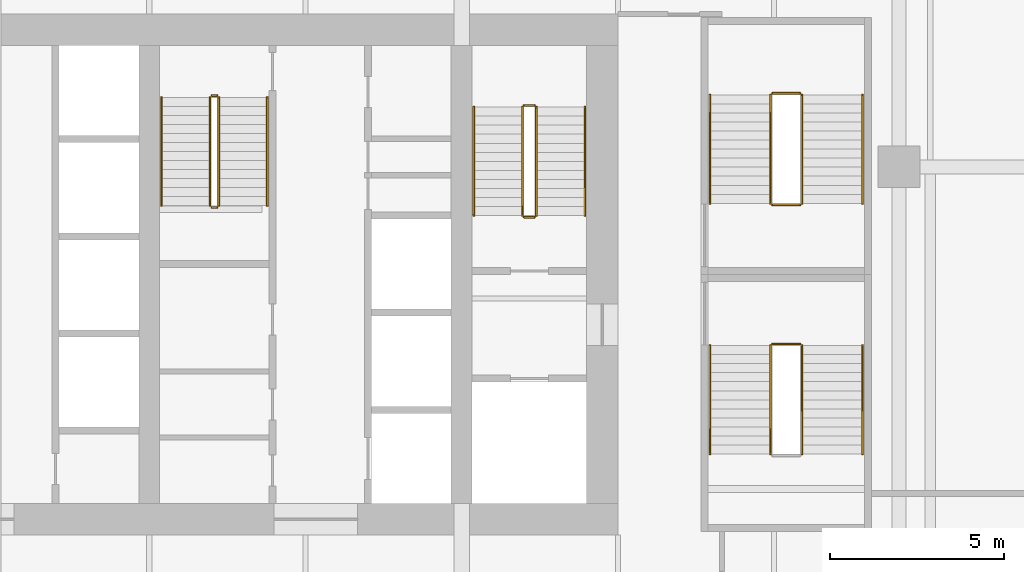
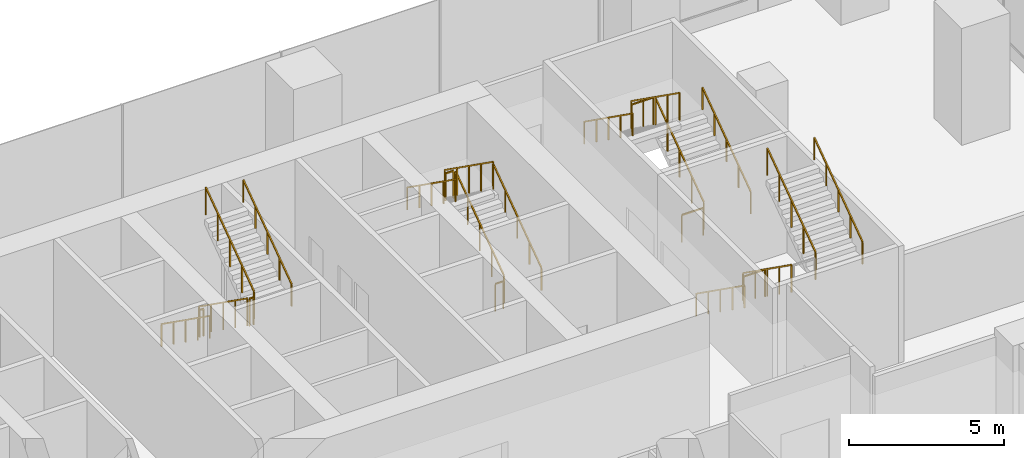
# One storey, part 28 of 28: 23 railings.
"""IFC4 building model written with IfcOpenShell, lengths in metres."""

from ifc_helpers import new_model, si_unit, direction, frame, origin, origin_2d, place, context, subcontext, project, spatial, rectangle, extrude, material, type_object, element, save


model = new_model("IFC4")

# Units and contexts
model_context = context("Model", 3, precision=1e-05, world=origin(), true_north=direction((0.0, 1.0)))
body_context = subcontext(model_context, "Body", "Model", "MODEL_VIEW")
ifc_project = project(units=[si_unit("LENGTHUNIT", "METRE"), si_unit("AREAUNIT", "SQUARE_METRE"), si_unit("VOLUMEUNIT", "CUBIC_METRE"), si_unit("PLANEANGLEUNIT", "RADIAN"), si_unit("MASSUNIT", "GRAM", prefix="KILO")], contexts=[model_context])

# Site, building, storey
site_placement = place(None, origin())
site = spatial("IfcSite", under=ifc_project, at=site_placement, CompositionType="ELEMENT")
building_placement = place(site_placement, origin())
building = spatial("IfcBuilding", under=site, at=building_placement, Name="Rattan Terrace Tower", CompositionType="ELEMENT")
storey_placement = place(building_placement, frame((0.0, 0.0, 17.39990234375)))
storey = spatial("IfcBuildingStorey", under=building, at=storey_placement, Name="L03", CompositionType="ELEMENT", Elevation=17.39990234375)

# Railings
ifc_material_1 = material(Name="Powder-coated steel guard", Category="steel")
railing_type_1 = type_object("IfcRailingType", Name="Core stair guard", PredefinedType="GUARDRAIL", material=ifc_material_1)
railing_1_placement = place(storey_placement, frame((15.64990234375, 1.699951171875, 0.184814453125)))
element("IfcRailing", 1, at=railing_1_placement, inside=storey, type_object=railing_type_1, Name="L03 S2 stair guard 1", PredefinedType="GUARDRAIL", context=body_context, shape_type="SweptSolid", body=[
    extrude(rectangle(XDim=0.048095703125, YDim=0.048095703125, at=origin_2d()), frame((0.0, 0.0, 1.076171875), z_axis=(0.0, 0.815376961211, 0.578930402662), x_axis=(-1.0, 0.0, 0.0)), (0.0, 0.0, 1.0), 3.82666015625),
    extrude(rectangle(XDim=0.0419921875, YDim=0.0419921875, at=origin_2d()), origin(), (0.0, 0.0, 1.0), 1.052001953125),
    extrude(rectangle(XDim=0.0419921875, YDim=0.0419921875, at=origin_2d()), frame((0.0, 0.780029296875, 0.5537109375)), (0.0, 0.0, 1.0), 1.052001953125),
    extrude(rectangle(XDim=0.0419921875, YDim=0.0419921875, at=origin_2d()), frame((0.0, 1.56005859375, 1.107666015625)), (0.0, 0.0, 1.0), 1.052001953125),
    extrude(rectangle(XDim=0.0419921875, YDim=0.0419921875, at=origin_2d()), frame((0.0, 2.340087890625, 1.66162109375)), (0.0, 0.0, 1.0), 1.052001953125),
    extrude(rectangle(XDim=0.0419921875, YDim=0.0419921875, at=origin_2d()), frame((0.0, 3.1201171875, 2.21533203125)), (0.0, 0.0, 1.0), 1.052001953125),
])
railing_2_placement = place(storey_placement, frame((15.60009765625, 4.8701171875, 2.400146484375)))
element("IfcRailing", 2, at=railing_2_placement, inside=storey, type_object=railing_type_1, Name="L03 S2 stair guard 2", PredefinedType="GUARDRAIL", context=body_context, shape_type="SweptSolid", body=[
    extrude(rectangle(XDim=0.048095703125, YDim=0.048095703125, at=origin_2d()), frame((0.0, 0.0, 1.076171875), z_axis=(-1.0, 0.0, 0.0), x_axis=(0.0, -1.0, 0.0)), (0.0, 0.0, 1.0), 0.300048828125),
    extrude(rectangle(XDim=0.0419921875, YDim=0.0419921875, at=origin_2d()), origin(), (0.0, 0.0, 1.0), 1.052001953125),
    extrude(rectangle(XDim=0.0419921875, YDim=0.0419921875, at=origin_2d()), frame((-0.300048828125, 0.0, 0.0)), (0.0, 0.0, 1.0), 1.052001953125),
])
railing_3_placement = place(storey_placement, frame((15.25, 4.820068359375, 2.584716796875)))
element("IfcRailing", 3, at=railing_3_placement, inside=storey, type_object=railing_type_1, Name="L03 S2 stair guard 3", PredefinedType="GUARDRAIL", context=body_context, shape_type="SweptSolid", body=[
    extrude(rectangle(XDim=0.048095703125, YDim=0.048095703125, at=origin_2d()), frame((0.0, 0.0, 1.076171875), z_axis=(0.0, -0.815376961211, 0.578930402662), x_axis=(1.0, 0.0, 0.0)), (0.0, 0.0, 1.0), 3.82666015625),
    extrude(rectangle(XDim=0.0419921875, YDim=0.0419921875, at=origin_2d()), origin(), (0.0, 0.0, 1.0), 1.052001953125),
    extrude(rectangle(XDim=0.0419921875, YDim=0.0419921875, at=origin_2d()), frame((0.0, -0.780029296875, 0.5537109375)), (0.0, 0.0, 1.0), 1.052001953125),
    extrude(rectangle(XDim=0.0419921875, YDim=0.0419921875, at=origin_2d()), frame((0.0, -1.56005859375, 1.107666015625)), (0.0, 0.0, 1.0), 1.052001953125),
    extrude(rectangle(XDim=0.0419921875, YDim=0.0419921875, at=origin_2d()), frame((0.0, -2.340087890625, 1.66162109375)), (0.0, 0.0, 1.0), 1.052001953125),
    extrude(rectangle(XDim=0.0419921875, YDim=0.0419921875, at=origin_2d()), frame((0.0, -3.1201171875, 2.21533203125)), (0.0, 0.0, 1.0), 1.052001953125),
])
railing_4_placement = place(storey_placement, frame((15.60009765625, 1.64990234375, 0.0)))
element("IfcRailing", 4, at=railing_4_placement, inside=storey, type_object=railing_type_1, Name="L03 S2 stair guard 4", PredefinedType="GUARDRAIL", context=body_context, shape_type="SweptSolid", body=[
    extrude(rectangle(XDim=0.048095703125, YDim=0.048095703125, at=origin_2d()), frame((0.0, 0.0, 1.076171875), z_axis=(-1.0, 0.0, 0.0), x_axis=(0.0, -1.0, 0.0)), (0.0, 0.0, 1.0), 0.300048828125),
    extrude(rectangle(XDim=0.0419921875, YDim=0.0419921875, at=origin_2d()), origin(), (0.0, 0.0, 1.0), 1.052001953125),
    extrude(rectangle(XDim=0.0419921875, YDim=0.0419921875, at=origin_2d()), frame((-0.300048828125, 0.0, 0.0)), (0.0, 0.0, 1.0), 1.052001953125),
])
railing_5_placement = place(storey_placement, frame((6.25, 5.10009765625, 0.184814453125)))
element("IfcRailing", 5, at=railing_5_placement, inside=storey, type_object=railing_type_1, Name="L03 S3 stair guard 1", PredefinedType="GUARDRAIL", context=body_context, shape_type="SweptSolid", body=[
    extrude(rectangle(XDim=0.048095703125, YDim=0.048095703125, at=origin_2d()), frame((0.0, 0.0, 1.076171875), z_axis=(0.0, -0.815376961211, 0.578930402662), x_axis=(1.0, 0.0, 0.0)), (0.0, 0.0, 1.0), 3.82666015625),
    extrude(rectangle(XDim=0.0419921875, YDim=0.0419921875, at=origin_2d()), origin(), (0.0, 0.0, 1.0), 1.052001953125),
    extrude(rectangle(XDim=0.0419921875, YDim=0.0419921875, at=origin_2d()), frame((0.0, -0.780029296875, 0.5537109375)), (0.0, 0.0, 1.0), 1.052001953125),
    extrude(rectangle(XDim=0.0419921875, YDim=0.0419921875, at=origin_2d()), frame((0.0, -1.56005859375, 1.107666015625)), (0.0, 0.0, 1.0), 1.052001953125),
    extrude(rectangle(XDim=0.0419921875, YDim=0.0419921875, at=origin_2d()), frame((0.0, -2.340087890625, 1.66162109375)), (0.0, 0.0, 1.0), 1.052001953125),
    extrude(rectangle(XDim=0.0419921875, YDim=0.0419921875, at=origin_2d()), frame((0.0, -3.1201171875, 2.21533203125)), (0.0, 0.0, 1.0), 1.052001953125),
])
railing_6_placement = place(storey_placement, frame((6.300048828125, 1.929931640625, 2.400146484375)))
element("IfcRailing", 6, at=railing_6_placement, inside=storey, type_object=railing_type_1, Name="L03 S3 stair guard 2", PredefinedType="GUARDRAIL", context=body_context, shape_type="SweptSolid", body=[
    extrude(rectangle(XDim=0.048095703125, YDim=0.048095703125, at=origin_2d()), frame((0.0, 0.0, 1.076171875), z_axis=(1.0, 0.0, 0.0), x_axis=(0.0, 1.0, 0.0)), (0.0, 0.0, 1.0), 0.14990234375),
    extrude(rectangle(XDim=0.0419921875, YDim=0.0419921875, at=origin_2d()), origin(), (0.0, 0.0, 1.0), 1.052001953125),
    extrude(rectangle(XDim=0.0419921875, YDim=0.0419921875, at=origin_2d()), frame((0.14990234375, 0.0, 0.0)), (0.0, 0.0, 1.0), 1.052001953125),
])
railing_7_placement = place(storey_placement, frame((6.5, 1.97998046875, 2.584716796875)))
element("IfcRailing", 7, at=railing_7_placement, inside=storey, type_object=railing_type_1, Name="L03 S3 stair guard 3", PredefinedType="GUARDRAIL", context=body_context, shape_type="SweptSolid", body=[
    extrude(rectangle(XDim=0.048095703125, YDim=0.048095703125, at=origin_2d()), frame((0.0, 0.0, 1.076171875), z_axis=(0.0, 0.815376961211, 0.578930402662), x_axis=(-1.0, 0.0, 0.0)), (0.0, 0.0, 1.0), 3.82666015625),
    extrude(rectangle(XDim=0.0419921875, YDim=0.0419921875, at=origin_2d()), origin(), (0.0, 0.0, 1.0), 1.052001953125),
    extrude(rectangle(XDim=0.0419921875, YDim=0.0419921875, at=origin_2d()), frame((0.0, 0.780029296875, 0.5537109375)), (0.0, 0.0, 1.0), 1.052001953125),
    extrude(rectangle(XDim=0.0419921875, YDim=0.0419921875, at=origin_2d()), frame((0.0, 1.56005859375, 1.107666015625)), (0.0, 0.0, 1.0), 1.052001953125),
    extrude(rectangle(XDim=0.0419921875, YDim=0.0419921875, at=origin_2d()), frame((0.0, 2.340087890625, 1.66162109375)), (0.0, 0.0, 1.0), 1.052001953125),
    extrude(rectangle(XDim=0.0419921875, YDim=0.0419921875, at=origin_2d()), frame((0.0, 3.1201171875, 2.21533203125)), (0.0, 0.0, 1.0), 1.052001953125),
])
railing_8_placement = place(storey_placement, frame((6.300048828125, 5.14990234375, 0.0)))
element("IfcRailing", 8, at=railing_8_placement, inside=storey, type_object=railing_type_1, Name="L03 S3 stair guard 4", PredefinedType="GUARDRAIL", context=body_context, shape_type="SweptSolid", body=[
    extrude(rectangle(XDim=0.048095703125, YDim=0.048095703125, at=origin_2d()), frame((0.0, 0.0, 1.076171875), z_axis=(1.0, 0.0, 0.0), x_axis=(0.0, 1.0, 0.0)), (0.0, 0.0, 1.0), 0.14990234375),
    extrude(rectangle(XDim=0.0419921875, YDim=0.0419921875, at=origin_2d()), origin(), (0.0, 0.0, 1.0), 1.052001953125),
    extrude(rectangle(XDim=0.0419921875, YDim=0.0419921875, at=origin_2d()), frame((0.14990234375, 0.0, 0.0)), (0.0, 0.0, 1.0), 1.052001953125),
])
railing_9_placement = place(storey_placement, frame((22.39990234375, -2.050048828125, 0.184814453125)))
element("IfcRailing", 9, at=railing_9_placement, inside=storey, type_object=railing_type_1, Name="L03 S6 stair guard 1", PredefinedType="GUARDRAIL", context=body_context, shape_type="SweptSolid", body=[
    extrude(rectangle(XDim=0.048095703125, YDim=0.048095703125, at=origin_2d()), frame((0.0, 0.0, 1.076171875), z_axis=(0.0, -0.815355575968, 0.57896052088), x_axis=(1.0, 0.0, 0.0)), (0.0, 0.0, 1.0), 3.826416015625),
    extrude(rectangle(XDim=0.0419921875, YDim=0.0419921875, at=origin_2d()), origin(), (0.0, 0.0, 1.0), 1.052001953125),
    extrude(rectangle(XDim=0.0419921875, YDim=0.0419921875, at=origin_2d()), frame((0.0, -0.780029296875, 0.5537109375)), (0.0, 0.0, 1.0), 1.052001953125),
    extrude(rectangle(XDim=0.0419921875, YDim=0.0419921875, at=origin_2d()), frame((0.0, -1.56005859375, 1.107666015625)), (0.0, 0.0, 1.0), 1.052001953125),
    extrude(rectangle(XDim=0.0419921875, YDim=0.0419921875, at=origin_2d()), frame((0.0, -2.33984375, 1.66162109375)), (0.0, 0.0, 1.0), 1.052001953125),
    extrude(rectangle(XDim=0.0419921875, YDim=0.0419921875, at=origin_2d()), frame((0.0, -3.119873046875, 2.21533203125)), (0.0, 0.0, 1.0), 1.052001953125),
])
railing_10_placement = place(storey_placement, frame((23.300048828125, -5.169921875, 2.584716796875)))
element("IfcRailing", 10, at=railing_10_placement, inside=storey, type_object=railing_type_1, Name="L03 S6 stair guard 3", PredefinedType="GUARDRAIL", context=body_context, shape_type="SweptSolid", body=[
    extrude(rectangle(XDim=0.048095703125, YDim=0.048095703125, at=origin_2d()), frame((0.0, 0.0, 1.076171875), z_axis=(0.0, 0.815355575968, 0.57896052088), x_axis=(-1.0, 0.0, 0.0)), (0.0, 0.0, 1.0), 3.826416015625),
    extrude(rectangle(XDim=0.0419921875, YDim=0.0419921875, at=origin_2d()), origin(), (0.0, 0.0, 1.0), 1.052001953125),
    extrude(rectangle(XDim=0.0419921875, YDim=0.0419921875, at=origin_2d()), frame((0.0, 0.780029296875, 0.5537109375)), (0.0, 0.0, 1.0), 1.052001953125),
    extrude(rectangle(XDim=0.0419921875, YDim=0.0419921875, at=origin_2d()), frame((0.0, 1.56005859375, 1.107666015625)), (0.0, 0.0, 1.0), 1.052001953125),
    extrude(rectangle(XDim=0.0419921875, YDim=0.0419921875, at=origin_2d()), frame((0.0, 2.33984375, 1.66162109375)), (0.0, 0.0, 1.0), 1.052001953125),
    extrude(rectangle(XDim=0.0419921875, YDim=0.0419921875, at=origin_2d()), frame((0.0, 3.119873046875, 2.21533203125)), (0.0, 0.0, 1.0), 1.052001953125),
])
railing_11_placement = place(storey_placement, frame((22.449951171875, -2.0, 0.0)))
element("IfcRailing", 11, at=railing_11_placement, inside=storey, type_object=railing_type_1, Name="L03 S6 stair guard 4", PredefinedType="GUARDRAIL", context=body_context, shape_type="SweptSolid", body=[
    extrude(rectangle(XDim=0.048095703125, YDim=0.048095703125, at=origin_2d()), frame((0.0, 0.0, 1.076171875), z_axis=(1.0, 0.0, 0.0), x_axis=(0.0, 1.0, 0.0)), (0.0, 0.0, 1.0), 0.800048828125),
    extrude(rectangle(XDim=0.0419921875, YDim=0.0419921875, at=origin_2d()), origin(), (0.0, 0.0, 1.0), 1.052001953125),
    extrude(rectangle(XDim=0.0419921875, YDim=0.0419921875, at=origin_2d()), frame((0.800048828125, 0.0, 0.0)), (0.0, 0.0, 1.0), 1.052001953125),
])
railing_12_placement = place(storey_placement, frame((23.300048828125, 2.050048828125, 0.184814453125)))
element("IfcRailing", 12, at=railing_12_placement, inside=storey, type_object=railing_type_1, Name="L03 S7 stair guard 1", PredefinedType="GUARDRAIL", context=body_context, shape_type="SweptSolid", body=[
    extrude(rectangle(XDim=0.048095703125, YDim=0.048095703125, at=origin_2d()), frame((0.0, 0.0, 1.076171875), z_axis=(0.0, 0.815355575968, 0.57896052088), x_axis=(-1.0, 0.0, 0.0)), (0.0, 0.0, 1.0), 3.826416015625),
    extrude(rectangle(XDim=0.0419921875, YDim=0.0419921875, at=origin_2d()), origin(), (0.0, 0.0, 1.0), 1.052001953125),
    extrude(rectangle(XDim=0.0419921875, YDim=0.0419921875, at=origin_2d()), frame((0.0, 0.780029296875, 0.5537109375)), (0.0, 0.0, 1.0), 1.052001953125),
    extrude(rectangle(XDim=0.0419921875, YDim=0.0419921875, at=origin_2d()), frame((0.0, 1.56005859375, 1.107666015625)), (0.0, 0.0, 1.0), 1.052001953125),
    extrude(rectangle(XDim=0.0419921875, YDim=0.0419921875, at=origin_2d()), frame((0.0, 2.33984375, 1.66162109375)), (0.0, 0.0, 1.0), 1.052001953125),
    extrude(rectangle(XDim=0.0419921875, YDim=0.0419921875, at=origin_2d()), frame((0.0, 3.119873046875, 2.21533203125)), (0.0, 0.0, 1.0), 1.052001953125),
])
railing_13_placement = place(storey_placement, frame((23.25, 5.219970703125, 2.400146484375)))
element("IfcRailing", 13, at=railing_13_placement, inside=storey, type_object=railing_type_1, Name="L03 S7 stair guard 2", PredefinedType="GUARDRAIL", context=body_context, shape_type="SweptSolid", body=[
    extrude(rectangle(XDim=0.048095703125, YDim=0.048095703125, at=origin_2d()), frame((0.0, 0.0, 1.076171875), z_axis=(-1.0, 0.0, 0.0), x_axis=(0.0, -1.0, 0.0)), (0.0, 0.0, 1.0), 0.800048828125),
    extrude(rectangle(XDim=0.0419921875, YDim=0.0419921875, at=origin_2d()), origin(), (0.0, 0.0, 1.0), 1.052001953125),
    extrude(rectangle(XDim=0.0419921875, YDim=0.0419921875, at=origin_2d()), frame((-0.800048828125, 0.0, 0.0)), (0.0, 0.0, 1.0), 1.052001953125),
])
railing_14_placement = place(storey_placement, frame((22.39990234375, 5.169921875, 2.584716796875)))
element("IfcRailing", 14, at=railing_14_placement, inside=storey, type_object=railing_type_1, Name="L03 S7 stair guard 3", PredefinedType="GUARDRAIL", context=body_context, shape_type="SweptSolid", body=[
    extrude(rectangle(XDim=0.048095703125, YDim=0.048095703125, at=origin_2d()), frame((0.0, 0.0, 1.076171875), z_axis=(0.0, -0.815355575968, 0.57896052088), x_axis=(1.0, 0.0, 0.0)), (0.0, 0.0, 1.0), 3.826416015625),
    extrude(rectangle(XDim=0.0419921875, YDim=0.0419921875, at=origin_2d()), origin(), (0.0, 0.0, 1.0), 1.052001953125),
    extrude(rectangle(XDim=0.0419921875, YDim=0.0419921875, at=origin_2d()), frame((0.0, -0.780029296875, 0.5537109375)), (0.0, 0.0, 1.0), 1.052001953125),
    extrude(rectangle(XDim=0.0419921875, YDim=0.0419921875, at=origin_2d()), frame((0.0, -1.56005859375, 1.107666015625)), (0.0, 0.0, 1.0), 1.052001953125),
    extrude(rectangle(XDim=0.0419921875, YDim=0.0419921875, at=origin_2d()), frame((0.0, -2.33984375, 1.66162109375)), (0.0, 0.0, 1.0), 1.052001953125),
    extrude(rectangle(XDim=0.0419921875, YDim=0.0419921875, at=origin_2d()), frame((0.0, -3.119873046875, 2.21533203125)), (0.0, 0.0, 1.0), 1.052001953125),
])
railing_15_placement = place(storey_placement, frame((23.25, 2.0, 0.0)))
element("IfcRailing", 15, at=railing_15_placement, inside=storey, type_object=railing_type_1, Name="L03 S7 stair guard 4", PredefinedType="GUARDRAIL", context=body_context, shape_type="SweptSolid", body=[
    extrude(rectangle(XDim=0.048095703125, YDim=0.048095703125, at=origin_2d()), frame((0.0, 0.0, 1.076171875), z_axis=(-1.0, 0.0, 0.0), x_axis=(0.0, -1.0, 0.0)), (0.0, 0.0, 1.0), 0.800048828125),
    extrude(rectangle(XDim=0.0419921875, YDim=0.0419921875, at=origin_2d()), origin(), (0.0, 0.0, 1.0), 1.052001953125),
    extrude(rectangle(XDim=0.0419921875, YDim=0.0419921875, at=origin_2d()), frame((-0.800048828125, 0.0, 0.0)), (0.0, 0.0, 1.0), 1.052001953125),
])
ifc_material_2 = material(Name="Powder-coated steel handrail", Category="steel")
railing_type_2 = type_object("IfcRailingType", Name="Core stair handrail", PredefinedType="HANDRAIL", material=ifc_material_2)
railing_16_placement = place(storey_placement, frame((17.050048828125, 1.699951171875, 0.184814453125)))
element("IfcRailing", 16, at=railing_16_placement, inside=storey, type_object=railing_type_2, Name="L03 S2 stair handrail 1", PredefinedType="HANDRAIL", context=body_context, shape_type="SweptSolid", body=[
    extrude(rectangle(XDim=0.048095703125, YDim=0.048095703125, at=origin_2d()), frame((0.0, 0.0, 0.8759765625), z_axis=(0.0, 0.815376961211, 0.578930402662), x_axis=(-1.0, 0.0, 0.0)), (0.0, 0.0, 1.0), 3.82666015625),
    extrude(rectangle(XDim=0.0419921875, YDim=0.0419921875, at=origin_2d()), origin(), (0.0, 0.0, 1.0), 0.851806640625),
    extrude(rectangle(XDim=0.0419921875, YDim=0.0419921875, at=origin_2d()), frame((0.0, 0.780029296875, 0.5537109375)), (0.0, 0.0, 1.0), 0.851806640625),
    extrude(rectangle(XDim=0.0419921875, YDim=0.0419921875, at=origin_2d()), frame((0.0, 1.56005859375, 1.107666015625)), (0.0, 0.0, 1.0), 0.851806640625),
    extrude(rectangle(XDim=0.0419921875, YDim=0.0419921875, at=origin_2d()), frame((0.0, 2.340087890625, 1.66162109375)), (0.0, 0.0, 1.0), 0.851806640625),
    extrude(rectangle(XDim=0.0419921875, YDim=0.0419921875, at=origin_2d()), frame((0.0, 3.1201171875, 2.21533203125)), (0.0, 0.0, 1.0), 0.851806640625),
])
for number, where, name in (
    (17, (13.85009765625, 4.820068359375, 2.584716796875), "L03 S2 stair handrail 2"),
    (18, (4.85009765625, 5.10009765625, 0.184814453125), "L03 S3 stair handrail 1"),
):
    element("IfcRailing", number, at=place(storey_placement, frame(where)), inside=storey, type_object=railing_type_2, Name=name, PredefinedType="HANDRAIL", context=body_context, shape_type="SweptSolid", body=[
        extrude(rectangle(XDim=0.048095703125, YDim=0.048095703125, at=origin_2d()), frame((0.0, 0.0, 0.8759765625), z_axis=(0.0, -0.815376961211, 0.578930402662), x_axis=(1.0, 0.0, 0.0)), (0.0, 0.0, 1.0), 3.82666015625),
        extrude(rectangle(XDim=0.0419921875, YDim=0.0419921875, at=origin_2d()), origin(), (0.0, 0.0, 1.0), 0.851806640625),
        extrude(rectangle(XDim=0.0419921875, YDim=0.0419921875, at=origin_2d()), frame((0.0, -0.780029296875, 0.5537109375)), (0.0, 0.0, 1.0), 0.851806640625),
        extrude(rectangle(XDim=0.0419921875, YDim=0.0419921875, at=origin_2d()), frame((0.0, -1.56005859375, 1.107666015625)), (0.0, 0.0, 1.0), 0.851806640625),
        extrude(rectangle(XDim=0.0419921875, YDim=0.0419921875, at=origin_2d()), frame((0.0, -2.340087890625, 1.66162109375)), (0.0, 0.0, 1.0), 0.851806640625),
        extrude(rectangle(XDim=0.0419921875, YDim=0.0419921875, at=origin_2d()), frame((0.0, -3.1201171875, 2.21533203125)), (0.0, 0.0, 1.0), 0.851806640625),
    ])
railing_17_placement = place(storey_placement, frame((7.89990234375, 1.97998046875, 2.584716796875)))
element("IfcRailing", 19, at=railing_17_placement, inside=storey, type_object=railing_type_2, Name="L03 S3 stair handrail 2", PredefinedType="HANDRAIL", context=body_context, shape_type="SweptSolid", body=[
    extrude(rectangle(XDim=0.048095703125, YDim=0.048095703125, at=origin_2d()), frame((0.0, 0.0, 0.8759765625), z_axis=(0.0, 0.815376961211, 0.578930402662), x_axis=(-1.0, 0.0, 0.0)), (0.0, 0.0, 1.0), 3.82666015625),
    extrude(rectangle(XDim=0.0419921875, YDim=0.0419921875, at=origin_2d()), origin(), (0.0, 0.0, 1.0), 0.851806640625),
    extrude(rectangle(XDim=0.0419921875, YDim=0.0419921875, at=origin_2d()), frame((0.0, 0.780029296875, 0.5537109375)), (0.0, 0.0, 1.0), 0.851806640625),
    extrude(rectangle(XDim=0.0419921875, YDim=0.0419921875, at=origin_2d()), frame((0.0, 1.56005859375, 1.107666015625)), (0.0, 0.0, 1.0), 0.851806640625),
    extrude(rectangle(XDim=0.0419921875, YDim=0.0419921875, at=origin_2d()), frame((0.0, 2.340087890625, 1.66162109375)), (0.0, 0.0, 1.0), 0.851806640625),
    extrude(rectangle(XDim=0.0419921875, YDim=0.0419921875, at=origin_2d()), frame((0.0, 3.1201171875, 2.21533203125)), (0.0, 0.0, 1.0), 0.851806640625),
])
railing_18_placement = place(storey_placement, frame((20.64990234375, -2.050048828125, 0.184814453125)))
element("IfcRailing", 20, at=railing_18_placement, inside=storey, type_object=railing_type_2, Name="L03 S6 stair handrail 1", PredefinedType="HANDRAIL", context=body_context, shape_type="SweptSolid", body=[
    extrude(rectangle(XDim=0.048095703125, YDim=0.048095703125, at=origin_2d()), frame((0.0, 0.0, 0.8759765625), z_axis=(0.0, -0.815355575968, 0.57896052088), x_axis=(1.0, 0.0, 0.0)), (0.0, 0.0, 1.0), 3.826416015625),
    extrude(rectangle(XDim=0.0419921875, YDim=0.0419921875, at=origin_2d()), origin(), (0.0, 0.0, 1.0), 0.851806640625),
    extrude(rectangle(XDim=0.0419921875, YDim=0.0419921875, at=origin_2d()), frame((0.0, -0.780029296875, 0.5537109375)), (0.0, 0.0, 1.0), 0.851806640625),
    extrude(rectangle(XDim=0.0419921875, YDim=0.0419921875, at=origin_2d()), frame((0.0, -1.56005859375, 1.107666015625)), (0.0, 0.0, 1.0), 0.851806640625),
    extrude(rectangle(XDim=0.0419921875, YDim=0.0419921875, at=origin_2d()), frame((0.0, -2.33984375, 1.66162109375)), (0.0, 0.0, 1.0), 0.851806640625),
    extrude(rectangle(XDim=0.0419921875, YDim=0.0419921875, at=origin_2d()), frame((0.0, -3.119873046875, 2.21533203125)), (0.0, 0.0, 1.0), 0.851806640625),
])
for number, where, name in (
    (21, (25.050048828125, -5.169921875, 2.584716796875), "L03 S6 stair handrail 2"),
    (22, (25.050048828125, 2.050048828125, 0.184814453125), "L03 S7 stair handrail 1"),
):
    element("IfcRailing", number, at=place(storey_placement, frame(where)), inside=storey, type_object=railing_type_2, Name=name, PredefinedType="HANDRAIL", context=body_context, shape_type="SweptSolid", body=[
        extrude(rectangle(XDim=0.048095703125, YDim=0.048095703125, at=origin_2d()), frame((0.0, 0.0, 0.8759765625), z_axis=(0.0, 0.815355575968, 0.57896052088), x_axis=(-1.0, 0.0, 0.0)), (0.0, 0.0, 1.0), 3.826416015625),
        extrude(rectangle(XDim=0.0419921875, YDim=0.0419921875, at=origin_2d()), origin(), (0.0, 0.0, 1.0), 0.851806640625),
        extrude(rectangle(XDim=0.0419921875, YDim=0.0419921875, at=origin_2d()), frame((0.0, 0.780029296875, 0.5537109375)), (0.0, 0.0, 1.0), 0.851806640625),
        extrude(rectangle(XDim=0.0419921875, YDim=0.0419921875, at=origin_2d()), frame((0.0, 1.56005859375, 1.107666015625)), (0.0, 0.0, 1.0), 0.851806640625),
        extrude(rectangle(XDim=0.0419921875, YDim=0.0419921875, at=origin_2d()), frame((0.0, 2.33984375, 1.66162109375)), (0.0, 0.0, 1.0), 0.851806640625),
        extrude(rectangle(XDim=0.0419921875, YDim=0.0419921875, at=origin_2d()), frame((0.0, 3.119873046875, 2.21533203125)), (0.0, 0.0, 1.0), 0.851806640625),
    ])
railing_19_placement = place(storey_placement, frame((20.64990234375, 5.169921875, 2.584716796875)))
element("IfcRailing", 23, at=railing_19_placement, inside=storey, type_object=railing_type_2, Name="L03 S7 stair handrail 2", PredefinedType="HANDRAIL", context=body_context, shape_type="SweptSolid", body=[
    extrude(rectangle(XDim=0.048095703125, YDim=0.048095703125, at=origin_2d()), frame((0.0, 0.0, 0.8759765625), z_axis=(0.0, -0.815355575968, 0.57896052088), x_axis=(1.0, 0.0, 0.0)), (0.0, 0.0, 1.0), 3.826416015625),
    extrude(rectangle(XDim=0.0419921875, YDim=0.0419921875, at=origin_2d()), origin(), (0.0, 0.0, 1.0), 0.851806640625),
    extrude(rectangle(XDim=0.0419921875, YDim=0.0419921875, at=origin_2d()), frame((0.0, -0.780029296875, 0.5537109375)), (0.0, 0.0, 1.0), 0.851806640625),
    extrude(rectangle(XDim=0.0419921875, YDim=0.0419921875, at=origin_2d()), frame((0.0, -1.56005859375, 1.107666015625)), (0.0, 0.0, 1.0), 0.851806640625),
    extrude(rectangle(XDim=0.0419921875, YDim=0.0419921875, at=origin_2d()), frame((0.0, -2.33984375, 1.66162109375)), (0.0, 0.0, 1.0), 0.851806640625),
    extrude(rectangle(XDim=0.0419921875, YDim=0.0419921875, at=origin_2d()), frame((0.0, -3.119873046875, 2.21533203125)), (0.0, 0.0, 1.0), 0.851806640625),
])

save(model, "model.ifc")
